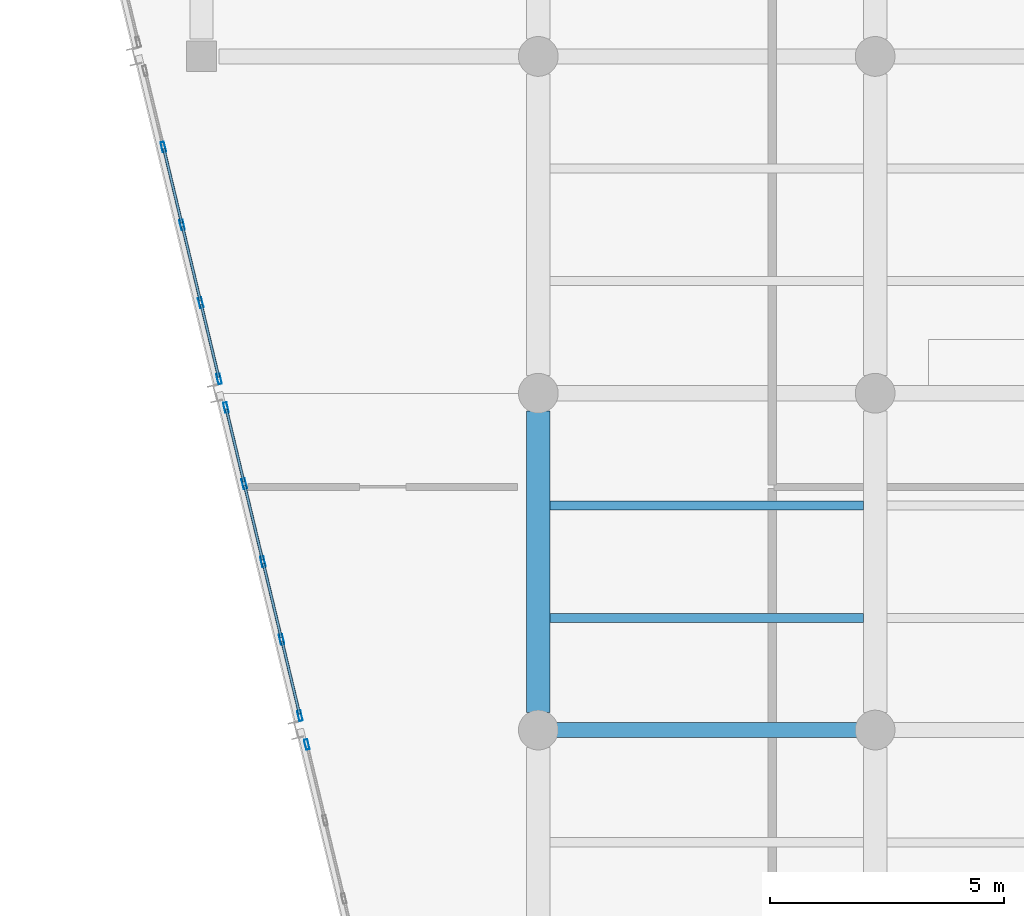
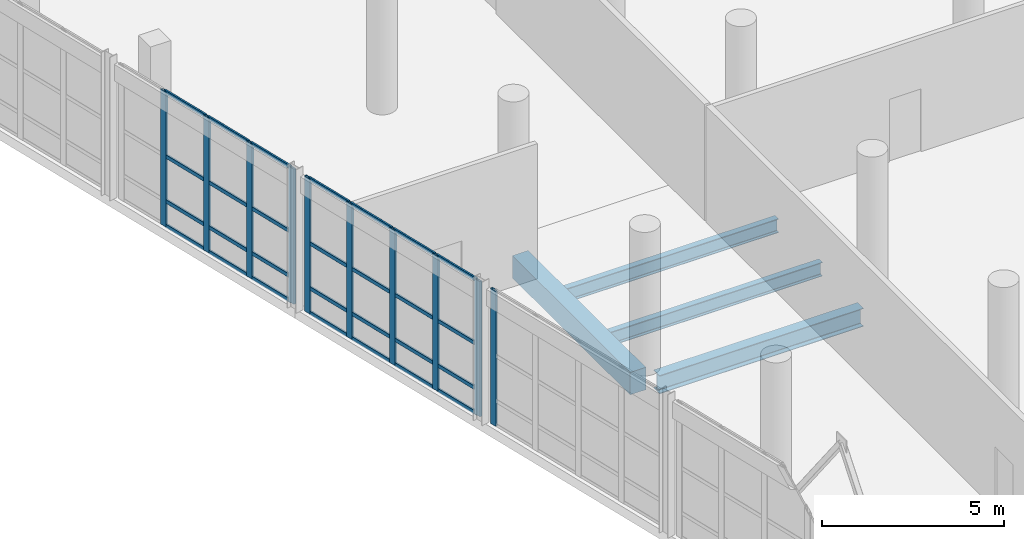
# One storey, part 67 of 127: 38 members, 4 beams, 3 elements without a shape of their own.
"""IFC4 building model written with IfcOpenShell, lengths in metres."""

from ifc_helpers import new_model, si_unit, direction, frame, origin, origin_2d, place, context, subcontext, project, spatial, rectangle, hollow_rectangle, i_section, extrude, material, material_profile, profile_set, type_object, element, aggregate, save


model = new_model("IFC4")

# Units and contexts
model_context = context("Model", 3, precision=1e-05, world=origin(), true_north=direction((0.0, 1.0)))
body_context = subcontext(model_context, "Body", "Model", "MODEL_VIEW")
ifc_project = project(units=[si_unit("LENGTHUNIT", "METRE"), si_unit("AREAUNIT", "SQUARE_METRE"), si_unit("VOLUMEUNIT", "CUBIC_METRE"), si_unit("PLANEANGLEUNIT", "RADIAN"), si_unit("MASSUNIT", "GRAM", prefix="KILO")], contexts=[model_context])

# Site, building, storey
site_placement = place(None, origin())
site = spatial("IfcSite", under=ifc_project, at=site_placement, CompositionType="ELEMENT")
building_placement = place(site_placement, origin())
building = spatial("IfcBuilding", under=site, at=building_placement, Name="Kalmorath City Hall", CompositionType="ELEMENT")
storey_placement = place(building_placement, frame((0.0, 0.0, 5.39990234375)))
storey = spatial("IfcBuildingStorey", under=building, at=storey_placement, Name="L01", CompositionType="ELEMENT", Elevation=5.39990234375)

# Beam
ifc_material_1 = material(Name="Concrete C40/50", Category="concrete")
ifc_material_profile_1 = material_profile(ifc_material_1, rectangle(XDim=0.5, YDim=0.75, at=origin_2d()), Name="RC-BM-500X750")
ifc_profile_set_1 = profile_set([ifc_material_profile_1], Name="Concrete C40/50")
beam_type_1 = type_object("IfcBeamType", Name="Concrete floor beam 500x750", PredefinedType="BEAM", material=ifc_profile_set_1)
beam_1_placement = place(storey_placement, frame((136.800048828125, 65.175048828125, -0.698974609375), z_axis=(0.0, 1.0, 0.0), x_axis=(-1.0, 0.0, 0.0)))
element("IfcBeam", 1, at=beam_1_placement, inside=storey, type_object=beam_type_1, Name="L01 girder CB3 Y20/10-11", PredefinedType="BEAM", context=body_context, shape_type="SweptSolid", body=[
    extrude(rectangle(XDim=0.5, YDim=0.75, at=origin_2d()), origin(), (0.0, 0.0, 1.0), 6.449951171875),
])

# Curtain wall, members
ifc_material_2 = material(Name="Anodised aluminium and laminated glass", Category="aluminium")
curtain_wall_type = type_object("IfcCurtainWallType", Name="Unitised hurricane curtain wall 6849x4520 M1650", PredefinedType="NOTDEFINED", material=ifc_material_2)
curtain_wall_1_placement = place(storey_placement, origin())
curtain_wall_1 = element("IfcCurtainWall", 2, at=curtain_wall_1_placement, inside=storey, type_object=curtain_wall_type, Name="L01 curtain wall CW-68X45M16 #97", PredefinedType="NOTDEFINED")
ifc_material_3 = material(Name="Anodised aluminium framing", Category="aluminium")
ifc_material_profile_2 = material_profile(ifc_material_3, hollow_rectangle(XDim=0.06005859375, YDim=0.1298828125, WallThickness=0.00341796875, InnerFilletRadius=0.00341796875, OuterFilletRadius=0.007080078125, at=origin_2d()), Name="ALU-TRN-130X60X3.5")
ifc_profile_set_2 = profile_set([ifc_material_profile_2], Name="Anodised aluminium framing")
member_type_1 = type_object("IfcMemberType", Name="Curtain-wall courtyard transom 130x60", PredefinedType="USERDEFINED", material=ifc_profile_set_2)
member_1_placement = place(storey_placement, frame((131.6962890625, 65.142822265625, 0.030029296875), z_axis=(-0.233476838675, 0.972362363423, 0.0), x_axis=(-0.972362363423, -0.233476838675, 0.0)))
member_1 = element("IfcMember", 3, at=member_1_placement, type_object=member_type_1, Name="CW-68X45M16 transom 1.1", ObjectType="TRANSOM", PredefinedType="USERDEFINED", context=body_context, shape_type="SweptSolid", body=[
    extrude(hollow_rectangle(XDim=0.06005859375, YDim=0.1298828125, WallThickness=0.00341796875, InnerFilletRadius=0.00341796875, OuterFilletRadius=0.007080078125, at=origin_2d()), origin(), (0.0, 0.0, 1.0), 1.599853515625),
])
member_2_placement = place(storey_placement, frame((131.6962890625, 65.142822265625, 0.85009765625), z_axis=(-0.233476838675, 0.972362363423, 0.0), x_axis=(-0.972362363423, -0.233476838675, 0.0)))
member_2 = element("IfcMember", 4, at=member_2_placement, type_object=member_type_1, Name="CW-68X45M16 transom 1.2", ObjectType="TRANSOM", PredefinedType="USERDEFINED", context=body_context, shape_type="SweptSolid", body=[
    extrude(hollow_rectangle(XDim=0.06005859375, YDim=0.1298828125, WallThickness=0.00341796875, InnerFilletRadius=0.00341796875, OuterFilletRadius=0.007080078125, at=origin_2d()), origin(), (0.0, 0.0, 1.0), 1.599853515625),
])
member_3_placement = place(storey_placement, frame((131.6962890625, 65.142822265625, 2.35009765625), z_axis=(-0.233476838675, 0.972362363423, 0.0), x_axis=(-0.972362363423, -0.233476838675, 0.0)))
member_3 = element("IfcMember", 5, at=member_3_placement, type_object=member_type_1, Name="CW-68X45M16 transom 1.3", ObjectType="TRANSOM", PredefinedType="USERDEFINED", context=body_context, shape_type="SweptSolid", body=[
    extrude(hollow_rectangle(XDim=0.06005859375, YDim=0.1298828125, WallThickness=0.00341796875, InnerFilletRadius=0.00341796875, OuterFilletRadius=0.007080078125, at=origin_2d()), origin(), (0.0, 0.0, 1.0), 1.599853515625),
])
member_4_placement = place(storey_placement, frame((131.6962890625, 65.142822265625, 4.489990234375), z_axis=(-0.233476838675, 0.972362363423, 0.0), x_axis=(-0.972362363423, -0.233476838675, 0.0)))
member_4 = element("IfcMember", 6, at=member_4_placement, type_object=member_type_1, Name="CW-68X45M16 transom 1.4", ObjectType="TRANSOM", PredefinedType="USERDEFINED", context=body_context, shape_type="SweptSolid", body=[
    extrude(hollow_rectangle(XDim=0.06005859375, YDim=0.1298828125, WallThickness=0.00341796875, InnerFilletRadius=0.00341796875, OuterFilletRadius=0.007080078125, at=origin_2d()), origin(), (0.0, 0.0, 1.0), 1.599853515625),
])
member_5_placement = place(storey_placement, frame((131.305419921875, 66.771484375, 0.030029296875), z_axis=(-0.233508300868, 0.972354808404, 0.0), x_axis=(-0.972354808404, -0.233508300868, 0.0)))
member_5 = element("IfcMember", 7, at=member_5_placement, type_object=member_type_1, Name="CW-68X45M16 transom 2.1", ObjectType="TRANSOM", PredefinedType="USERDEFINED", context=body_context, shape_type="SweptSolid", body=[
    extrude(hollow_rectangle(XDim=0.06005859375, YDim=0.1298828125, WallThickness=0.00341796875, InnerFilletRadius=0.00341796875, OuterFilletRadius=0.007080078125, at=origin_2d()), origin(), (0.0, 0.0, 1.0), 1.63720703125),
])
member_6_placement = place(storey_placement, frame((131.305419921875, 66.771484375, 0.85009765625), z_axis=(-0.233508300868, 0.972354808404, 0.0), x_axis=(-0.972354808404, -0.233508300868, 0.0)))
member_6 = element("IfcMember", 8, at=member_6_placement, type_object=member_type_1, Name="CW-68X45M16 transom 2.2", ObjectType="TRANSOM", PredefinedType="USERDEFINED", context=body_context, shape_type="SweptSolid", body=[
    extrude(hollow_rectangle(XDim=0.06005859375, YDim=0.1298828125, WallThickness=0.00341796875, InnerFilletRadius=0.00341796875, OuterFilletRadius=0.007080078125, at=origin_2d()), origin(), (0.0, 0.0, 1.0), 1.63720703125),
])
member_7_placement = place(storey_placement, frame((131.305419921875, 66.771484375, 2.35009765625), z_axis=(-0.233508300868, 0.972354808404, 0.0), x_axis=(-0.972354808404, -0.233508300868, 0.0)))
member_7 = element("IfcMember", 9, at=member_7_placement, type_object=member_type_1, Name="CW-68X45M16 transom 2.3", ObjectType="TRANSOM", PredefinedType="USERDEFINED", context=body_context, shape_type="SweptSolid", body=[
    extrude(hollow_rectangle(XDim=0.06005859375, YDim=0.1298828125, WallThickness=0.00341796875, InnerFilletRadius=0.00341796875, OuterFilletRadius=0.007080078125, at=origin_2d()), origin(), (0.0, 0.0, 1.0), 1.63720703125),
])
member_8_placement = place(storey_placement, frame((131.305419921875, 66.771484375, 4.489990234375), z_axis=(-0.233508300868, 0.972354808404, 0.0), x_axis=(-0.972354808404, -0.233508300868, 0.0)))
member_8 = element("IfcMember", 10, at=member_8_placement, type_object=member_type_1, Name="CW-68X45M16 transom 2.4", ObjectType="TRANSOM", PredefinedType="USERDEFINED", context=body_context, shape_type="SweptSolid", body=[
    extrude(hollow_rectangle(XDim=0.06005859375, YDim=0.1298828125, WallThickness=0.00341796875, InnerFilletRadius=0.00341796875, OuterFilletRadius=0.007080078125, at=origin_2d()), origin(), (0.0, 0.0, 1.0), 1.63720703125),
])
member_9_placement = place(storey_placement, frame((130.905517578125, 68.4365234375, 0.030029296875), z_axis=(-0.233367312665, 0.972388655518, 0.0), x_axis=(-0.972388655518, -0.233367312665, 0.0)))
member_9 = element("IfcMember", 11, at=member_9_placement, type_object=member_type_1, Name="CW-68X45M16 transom 3.1", ObjectType="TRANSOM", PredefinedType="USERDEFINED", context=body_context, shape_type="SweptSolid", body=[
    extrude(hollow_rectangle(XDim=0.06005859375, YDim=0.1298828125, WallThickness=0.00341796875, InnerFilletRadius=0.00341796875, OuterFilletRadius=0.007080078125, at=origin_2d()), origin(), (0.0, 0.0, 1.0), 1.63720703125),
])
member_10_placement = place(storey_placement, frame((130.905517578125, 68.4365234375, 0.85009765625), z_axis=(-0.233367312665, 0.972388655518, 0.0), x_axis=(-0.972388655518, -0.233367312665, 0.0)))
member_10 = element("IfcMember", 12, at=member_10_placement, type_object=member_type_1, Name="CW-68X45M16 transom 3.2", ObjectType="TRANSOM", PredefinedType="USERDEFINED", context=body_context, shape_type="SweptSolid", body=[
    extrude(hollow_rectangle(XDim=0.06005859375, YDim=0.1298828125, WallThickness=0.00341796875, InnerFilletRadius=0.00341796875, OuterFilletRadius=0.007080078125, at=origin_2d()), origin(), (0.0, 0.0, 1.0), 1.63720703125),
])
member_11_placement = place(storey_placement, frame((130.905517578125, 68.4365234375, 2.35009765625), z_axis=(-0.233367312665, 0.972388655518, 0.0), x_axis=(-0.972388655518, -0.233367312665, 0.0)))
member_11 = element("IfcMember", 13, at=member_11_placement, type_object=member_type_1, Name="CW-68X45M16 transom 3.3", ObjectType="TRANSOM", PredefinedType="USERDEFINED", context=body_context, shape_type="SweptSolid", body=[
    extrude(hollow_rectangle(XDim=0.06005859375, YDim=0.1298828125, WallThickness=0.00341796875, InnerFilletRadius=0.00341796875, OuterFilletRadius=0.007080078125, at=origin_2d()), origin(), (0.0, 0.0, 1.0), 1.63720703125),
])
member_12_placement = place(storey_placement, frame((130.905517578125, 68.4365234375, 4.489990234375), z_axis=(-0.233367312665, 0.972388655518, 0.0), x_axis=(-0.972388655518, -0.233367312665, 0.0)))
member_12 = element("IfcMember", 14, at=member_12_placement, type_object=member_type_1, Name="CW-68X45M16 transom 3.4", ObjectType="TRANSOM", PredefinedType="USERDEFINED", context=body_context, shape_type="SweptSolid", body=[
    extrude(hollow_rectangle(XDim=0.06005859375, YDim=0.1298828125, WallThickness=0.00341796875, InnerFilletRadius=0.00341796875, OuterFilletRadius=0.007080078125, at=origin_2d()), origin(), (0.0, 0.0, 1.0), 1.63720703125),
])
member_13_placement = place(storey_placement, frame((130.505859375, 70.1015625, 0.030029296875), z_axis=(-0.233511487372, 0.972354043168, 0.0), x_axis=(-0.972354043168, -0.233511487372, 0.0)))
member_13 = element("IfcMember", 15, at=member_13_placement, type_object=member_type_1, Name="CW-68X45M16 transom 4.1", ObjectType="TRANSOM", PredefinedType="USERDEFINED", context=body_context, shape_type="SweptSolid", body=[
    extrude(hollow_rectangle(XDim=0.06005859375, YDim=0.1298828125, WallThickness=0.00341796875, InnerFilletRadius=0.00341796875, OuterFilletRadius=0.007080078125, at=origin_2d()), origin(), (0.0, 0.0, 1.0), 1.599609375),
])
member_14_placement = place(storey_placement, frame((130.505859375, 70.1015625, 0.85009765625), z_axis=(-0.233511487372, 0.972354043168, 0.0), x_axis=(-0.972354043168, -0.233511487372, 0.0)))
member_14 = element("IfcMember", 16, at=member_14_placement, type_object=member_type_1, Name="CW-68X45M16 transom 4.2", ObjectType="TRANSOM", PredefinedType="USERDEFINED", context=body_context, shape_type="SweptSolid", body=[
    extrude(hollow_rectangle(XDim=0.06005859375, YDim=0.1298828125, WallThickness=0.00341796875, InnerFilletRadius=0.00341796875, OuterFilletRadius=0.007080078125, at=origin_2d()), origin(), (0.0, 0.0, 1.0), 1.599609375),
])
member_15_placement = place(storey_placement, frame((130.505859375, 70.1015625, 2.35009765625), z_axis=(-0.233511487372, 0.972354043168, 0.0), x_axis=(-0.972354043168, -0.233511487372, 0.0)))
member_15 = element("IfcMember", 17, at=member_15_placement, type_object=member_type_1, Name="CW-68X45M16 transom 4.3", ObjectType="TRANSOM", PredefinedType="USERDEFINED", context=body_context, shape_type="SweptSolid", body=[
    extrude(hollow_rectangle(XDim=0.06005859375, YDim=0.1298828125, WallThickness=0.00341796875, InnerFilletRadius=0.00341796875, OuterFilletRadius=0.007080078125, at=origin_2d()), origin(), (0.0, 0.0, 1.0), 1.599609375),
])
member_16_placement = place(storey_placement, frame((130.505859375, 70.1015625, 4.489990234375), z_axis=(-0.233511487372, 0.972354043168, 0.0), x_axis=(-0.972354043168, -0.233511487372, 0.0)))
member_16 = element("IfcMember", 18, at=member_16_placement, type_object=member_type_1, Name="CW-68X45M16 transom 4.4", ObjectType="TRANSOM", PredefinedType="USERDEFINED", context=body_context, shape_type="SweptSolid", body=[
    extrude(hollow_rectangle(XDim=0.06005859375, YDim=0.1298828125, WallThickness=0.00341796875, InnerFilletRadius=0.00341796875, OuterFilletRadius=0.007080078125, at=origin_2d()), origin(), (0.0, 0.0, 1.0), 1.599609375),
])

curtain_wall_2_placement = place(storey_placement, origin())
curtain_wall_2 = element("IfcCurtainWall", 19, at=curtain_wall_2_placement, inside=storey, type_object=curtain_wall_type, Name="L01 curtain wall CW-68X45M16 #98", PredefinedType="NOTDEFINED")
member_17_placement = place(storey_placement, frame((129.9677734375, 72.343017578125, 0.030029296875), z_axis=(-0.233511487372, 0.972354043168, 0.0), x_axis=(-0.972354043168, -0.233511487372, 0.0)))
member_17 = element("IfcMember", 20, at=member_17_placement, type_object=member_type_1, Name="CW-68X45M16 transom 1.1", ObjectType="TRANSOM", PredefinedType="USERDEFINED", context=body_context, shape_type="SweptSolid", body=[
    extrude(hollow_rectangle(XDim=0.06005859375, YDim=0.1298828125, WallThickness=0.00341796875, InnerFilletRadius=0.00341796875, OuterFilletRadius=0.007080078125, at=origin_2d()), origin(), (0.0, 0.0, 1.0), 1.599609375),
])
member_18_placement = place(storey_placement, frame((129.9677734375, 72.343017578125, 0.85009765625), z_axis=(-0.233511487372, 0.972354043168, 0.0), x_axis=(-0.972354043168, -0.233511487372, 0.0)))
member_18 = element("IfcMember", 21, at=member_18_placement, type_object=member_type_1, Name="CW-68X45M16 transom 1.2", ObjectType="TRANSOM", PredefinedType="USERDEFINED", context=body_context, shape_type="SweptSolid", body=[
    extrude(hollow_rectangle(XDim=0.06005859375, YDim=0.1298828125, WallThickness=0.00341796875, InnerFilletRadius=0.00341796875, OuterFilletRadius=0.007080078125, at=origin_2d()), origin(), (0.0, 0.0, 1.0), 1.599609375),
])
member_19_placement = place(storey_placement, frame((129.9677734375, 72.343017578125, 2.35009765625), z_axis=(-0.233511487372, 0.972354043168, 0.0), x_axis=(-0.972354043168, -0.233511487372, 0.0)))
member_19 = element("IfcMember", 22, at=member_19_placement, type_object=member_type_1, Name="CW-68X45M16 transom 1.3", ObjectType="TRANSOM", PredefinedType="USERDEFINED", context=body_context, shape_type="SweptSolid", body=[
    extrude(hollow_rectangle(XDim=0.06005859375, YDim=0.1298828125, WallThickness=0.00341796875, InnerFilletRadius=0.00341796875, OuterFilletRadius=0.007080078125, at=origin_2d()), origin(), (0.0, 0.0, 1.0), 1.599609375),
])
member_20_placement = place(storey_placement, frame((129.9677734375, 72.343017578125, 4.489990234375), z_axis=(-0.233511487372, 0.972354043168, 0.0), x_axis=(-0.972354043168, -0.233511487372, 0.0)))
member_20 = element("IfcMember", 23, at=member_20_placement, type_object=member_type_1, Name="CW-68X45M16 transom 1.4", ObjectType="TRANSOM", PredefinedType="USERDEFINED", context=body_context, shape_type="SweptSolid", body=[
    extrude(hollow_rectangle(XDim=0.06005859375, YDim=0.1298828125, WallThickness=0.00341796875, InnerFilletRadius=0.00341796875, OuterFilletRadius=0.007080078125, at=origin_2d()), origin(), (0.0, 0.0, 1.0), 1.599609375),
])
member_21_placement = place(storey_placement, frame((129.57666015625, 73.971435546875, 0.030029296875), z_axis=(-0.233508300868, 0.972354808404, 0.0), x_axis=(-0.972354808404, -0.233508300868, 0.0)))
member_21 = element("IfcMember", 24, at=member_21_placement, type_object=member_type_1, Name="CW-68X45M16 transom 2.1", ObjectType="TRANSOM", PredefinedType="USERDEFINED", context=body_context, shape_type="SweptSolid", body=[
    extrude(hollow_rectangle(XDim=0.06005859375, YDim=0.1298828125, WallThickness=0.00341796875, InnerFilletRadius=0.00341796875, OuterFilletRadius=0.007080078125, at=origin_2d()), origin(), (0.0, 0.0, 1.0), 1.63720703125),
])
member_22_placement = place(storey_placement, frame((129.57666015625, 73.971435546875, 0.85009765625), z_axis=(-0.233508300868, 0.972354808404, 0.0), x_axis=(-0.972354808404, -0.233508300868, 0.0)))
member_22 = element("IfcMember", 25, at=member_22_placement, type_object=member_type_1, Name="CW-68X45M16 transom 2.2", ObjectType="TRANSOM", PredefinedType="USERDEFINED", context=body_context, shape_type="SweptSolid", body=[
    extrude(hollow_rectangle(XDim=0.06005859375, YDim=0.1298828125, WallThickness=0.00341796875, InnerFilletRadius=0.00341796875, OuterFilletRadius=0.007080078125, at=origin_2d()), origin(), (0.0, 0.0, 1.0), 1.63720703125),
])
member_23_placement = place(storey_placement, frame((129.57666015625, 73.971435546875, 2.35009765625), z_axis=(-0.233508300868, 0.972354808404, 0.0), x_axis=(-0.972354808404, -0.233508300868, 0.0)))
member_23 = element("IfcMember", 26, at=member_23_placement, type_object=member_type_1, Name="CW-68X45M16 transom 2.3", ObjectType="TRANSOM", PredefinedType="USERDEFINED", context=body_context, shape_type="SweptSolid", body=[
    extrude(hollow_rectangle(XDim=0.06005859375, YDim=0.1298828125, WallThickness=0.00341796875, InnerFilletRadius=0.00341796875, OuterFilletRadius=0.007080078125, at=origin_2d()), origin(), (0.0, 0.0, 1.0), 1.63720703125),
])
member_24_placement = place(storey_placement, frame((129.57666015625, 73.971435546875, 4.489990234375), z_axis=(-0.233508300868, 0.972354808404, 0.0), x_axis=(-0.972354808404, -0.233508300868, 0.0)))
member_24 = element("IfcMember", 27, at=member_24_placement, type_object=member_type_1, Name="CW-68X45M16 transom 2.4", ObjectType="TRANSOM", PredefinedType="USERDEFINED", context=body_context, shape_type="SweptSolid", body=[
    extrude(hollow_rectangle(XDim=0.06005859375, YDim=0.1298828125, WallThickness=0.00341796875, InnerFilletRadius=0.00341796875, OuterFilletRadius=0.007080078125, at=origin_2d()), origin(), (0.0, 0.0, 1.0), 1.63720703125),
])
member_25_placement = place(storey_placement, frame((129.177001953125, 75.636474609375, 0.030029296875), z_axis=(-0.233508300868, 0.972354808404, 0.0), x_axis=(-0.972354808404, -0.233508300868, 0.0)))
member_25 = element("IfcMember", 28, at=member_25_placement, type_object=member_type_1, Name="CW-68X45M16 transom 3.1", ObjectType="TRANSOM", PredefinedType="USERDEFINED", context=body_context, shape_type="SweptSolid", body=[
    extrude(hollow_rectangle(XDim=0.06005859375, YDim=0.1298828125, WallThickness=0.00341796875, InnerFilletRadius=0.00341796875, OuterFilletRadius=0.007080078125, at=origin_2d()), origin(), (0.0, 0.0, 1.0), 1.63720703125),
])
member_26_placement = place(storey_placement, frame((129.177001953125, 75.636474609375, 0.85009765625), z_axis=(-0.233508300868, 0.972354808404, 0.0), x_axis=(-0.972354808404, -0.233508300868, 0.0)))
member_26 = element("IfcMember", 29, at=member_26_placement, type_object=member_type_1, Name="CW-68X45M16 transom 3.2", ObjectType="TRANSOM", PredefinedType="USERDEFINED", context=body_context, shape_type="SweptSolid", body=[
    extrude(hollow_rectangle(XDim=0.06005859375, YDim=0.1298828125, WallThickness=0.00341796875, InnerFilletRadius=0.00341796875, OuterFilletRadius=0.007080078125, at=origin_2d()), origin(), (0.0, 0.0, 1.0), 1.63720703125),
])
member_27_placement = place(storey_placement, frame((129.177001953125, 75.636474609375, 2.35009765625), z_axis=(-0.233508300868, 0.972354808404, 0.0), x_axis=(-0.972354808404, -0.233508300868, 0.0)))
member_27 = element("IfcMember", 30, at=member_27_placement, type_object=member_type_1, Name="CW-68X45M16 transom 3.3", ObjectType="TRANSOM", PredefinedType="USERDEFINED", context=body_context, shape_type="SweptSolid", body=[
    extrude(hollow_rectangle(XDim=0.06005859375, YDim=0.1298828125, WallThickness=0.00341796875, InnerFilletRadius=0.00341796875, OuterFilletRadius=0.007080078125, at=origin_2d()), origin(), (0.0, 0.0, 1.0), 1.63720703125),
])
member_28_placement = place(storey_placement, frame((129.177001953125, 75.636474609375, 4.489990234375), z_axis=(-0.233508300868, 0.972354808404, 0.0), x_axis=(-0.972354808404, -0.233508300868, 0.0)))
member_28 = element("IfcMember", 31, at=member_28_placement, type_object=member_type_1, Name="CW-68X45M16 transom 3.4", ObjectType="TRANSOM", PredefinedType="USERDEFINED", context=body_context, shape_type="SweptSolid", body=[
    extrude(hollow_rectangle(XDim=0.06005859375, YDim=0.1298828125, WallThickness=0.00341796875, InnerFilletRadius=0.00341796875, OuterFilletRadius=0.007080078125, at=origin_2d()), origin(), (0.0, 0.0, 1.0), 1.63720703125),
])

# Curtain wall, member
curtain_wall_3_placement = place(storey_placement, origin())
curtain_wall_3 = element("IfcCurtainWall", 32, at=curtain_wall_3_placement, inside=storey, type_object=curtain_wall_type, Name="L01 curtain wall CW-68X45M16 #96", PredefinedType="NOTDEFINED")
ifc_material_4 = material(Name="Anodised aluminium framing", Category="aluminium")
ifc_material_profile_3 = material_profile(ifc_material_4, hollow_rectangle(XDim=0.074951171875, YDim=0.219970703125, WallThickness=0.00390625, InnerFilletRadius=0.00390625, OuterFilletRadius=0.008056640625, at=origin_2d()), Name="ALU-MUL-220X75X4")
ifc_profile_set_3 = profile_set([ifc_material_profile_3], Name="Anodised aluminium framing")
member_type_2 = type_object("IfcMemberType", Name="Curtain-wall primary mullion 220x75", PredefinedType="MULLION", material=ifc_profile_set_3)
member_29_placement = place(storey_placement, frame((131.852294921875, 64.49365234375, 0.0), z_axis=(0.0, 0.0, 1.0), x_axis=(-0.97236741933, -0.233455781305, 0.0)))
member_29 = element("IfcMember", 33, at=member_29_placement, type_object=member_type_2, Name="CW-68X45M16 mullion 5", PredefinedType="MULLION", context=body_context, shape_type="SweptSolid", body=[
    extrude(hollow_rectangle(XDim=0.074951171875, YDim=0.219970703125, WallThickness=0.00390625, InnerFilletRadius=0.00390625, OuterFilletRadius=0.008056640625, at=origin_2d()), origin(), (0.0, 0.0, 1.0), 4.52001953125),
])
aggregate(curtain_wall_3, [member_29])

# Member
member_30_placement = place(storey_placement, frame((131.705078125, 65.1064453125, 0.0), z_axis=(0.0, 0.0, 1.0), x_axis=(-0.972370733538, -0.233441976856, 0.0)))
member_30 = element("IfcMember", 34, at=member_30_placement, type_object=member_type_2, Name="CW-68X45M16 mullion 1", PredefinedType="MULLION", context=body_context, shape_type="SweptSolid", body=[
    extrude(hollow_rectangle(XDim=0.074951171875, YDim=0.219970703125, WallThickness=0.00390625, InnerFilletRadius=0.00390625, OuterFilletRadius=0.008056640625, at=origin_2d()), origin(), (0.0, 0.0, 1.0), 4.52001953125),
])

member_31_placement = place(storey_placement, frame((131.31396484375, 66.735107421875, 0.0), z_axis=(0.0, 0.0, 1.0), x_axis=(-0.972370733538, -0.233441976856, 0.0)))
member_31 = element("IfcMember", 35, at=member_31_placement, type_object=member_type_2, Name="CW-68X45M16 mullion 2", PredefinedType="MULLION", context=body_context, shape_type="SweptSolid", body=[
    extrude(hollow_rectangle(XDim=0.074951171875, YDim=0.219970703125, WallThickness=0.00390625, InnerFilletRadius=0.00390625, OuterFilletRadius=0.008056640625, at=origin_2d()), origin(), (0.0, 0.0, 1.0), 4.52001953125),
])

member_32_placement = place(storey_placement, frame((130.914306640625, 68.39990234375, 0.0), z_axis=(0.0, 0.0, 1.0), x_axis=(-0.972370733538, -0.233441976856, 0.0)))
member_32 = element("IfcMember", 36, at=member_32_placement, type_object=member_type_2, Name="CW-68X45M16 mullion 3", PredefinedType="MULLION", context=body_context, shape_type="SweptSolid", body=[
    extrude(hollow_rectangle(XDim=0.074951171875, YDim=0.219970703125, WallThickness=0.00390625, InnerFilletRadius=0.00390625, OuterFilletRadius=0.008056640625, at=origin_2d()), origin(), (0.0, 0.0, 1.0), 4.52001953125),
])

member_33_placement = place(storey_placement, frame((130.5146484375, 70.06494140625, 0.0), z_axis=(0.0, 0.0, 1.0), x_axis=(-0.972370733538, -0.233441976856, 0.0)))
member_33 = element("IfcMember", 37, at=member_33_placement, type_object=member_type_2, Name="CW-68X45M16 mullion 4", PredefinedType="MULLION", context=body_context, shape_type="SweptSolid", body=[
    extrude(hollow_rectangle(XDim=0.074951171875, YDim=0.219970703125, WallThickness=0.00390625, InnerFilletRadius=0.00390625, OuterFilletRadius=0.008056640625, at=origin_2d()), origin(), (0.0, 0.0, 1.0), 4.52001953125),
])

member_34_placement = place(storey_placement, frame((130.12353515625, 71.693603515625, 0.0), z_axis=(0.0, 0.0, 1.0), x_axis=(-0.972370733538, -0.233441976856, 0.0)))
member_34 = element("IfcMember", 38, at=member_34_placement, type_object=member_type_2, Name="CW-68X45M16 mullion 5", PredefinedType="MULLION", context=body_context, shape_type="SweptSolid", body=[
    extrude(hollow_rectangle(XDim=0.074951171875, YDim=0.219970703125, WallThickness=0.00390625, InnerFilletRadius=0.00390625, OuterFilletRadius=0.008056640625, at=origin_2d()), origin(), (0.0, 0.0, 1.0), 4.52001953125),
])

aggregate(curtain_wall_1, [member_30, member_31, member_32, member_33, member_34, member_1, member_2, member_3, member_4, member_5, member_6, member_7, member_8, member_9, member_10, member_11, member_12, member_13, member_14, member_15, member_16])

member_35_placement = place(storey_placement, frame((129.9765625, 72.306396484375, 0.0), z_axis=(0.0, 0.0, 1.0), x_axis=(-0.97236741933, -0.233455781305, 0.0)))
member_35 = element("IfcMember", 39, at=member_35_placement, type_object=member_type_2, Name="CW-68X45M16 mullion 1", PredefinedType="MULLION", context=body_context, shape_type="SweptSolid", body=[
    extrude(hollow_rectangle(XDim=0.074951171875, YDim=0.219970703125, WallThickness=0.00390625, InnerFilletRadius=0.00390625, OuterFilletRadius=0.008056640625, at=origin_2d()), origin(), (0.0, 0.0, 1.0), 4.52001953125),
])

member_36_placement = place(storey_placement, frame((129.58544921875, 73.93505859375, 0.0), z_axis=(0.0, 0.0, 1.0), x_axis=(-0.97236741933, -0.233455781305, 0.0)))
member_36 = element("IfcMember", 40, at=member_36_placement, type_object=member_type_2, Name="CW-68X45M16 mullion 2", PredefinedType="MULLION", context=body_context, shape_type="SweptSolid", body=[
    extrude(hollow_rectangle(XDim=0.074951171875, YDim=0.219970703125, WallThickness=0.00390625, InnerFilletRadius=0.00390625, OuterFilletRadius=0.008056640625, at=origin_2d()), origin(), (0.0, 0.0, 1.0), 4.52001953125),
])

member_37_placement = place(storey_placement, frame((129.185791015625, 75.60009765625, 0.0), z_axis=(0.0, 0.0, 1.0), x_axis=(-0.97236741933, -0.233455781305, 0.0)))
member_37 = element("IfcMember", 41, at=member_37_placement, type_object=member_type_2, Name="CW-68X45M16 mullion 3", PredefinedType="MULLION", context=body_context, shape_type="SweptSolid", body=[
    extrude(hollow_rectangle(XDim=0.074951171875, YDim=0.219970703125, WallThickness=0.00390625, InnerFilletRadius=0.00390625, OuterFilletRadius=0.008056640625, at=origin_2d()), origin(), (0.0, 0.0, 1.0), 4.52001953125),
])

member_38_placement = place(storey_placement, frame((128.785888671875, 77.264892578125, 0.0), z_axis=(0.0, 0.0, 1.0), x_axis=(-0.97236741933, -0.233455781305, 0.0)))
member_38 = element("IfcMember", 42, at=member_38_placement, type_object=member_type_2, Name="CW-68X45M16 mullion 4", PredefinedType="MULLION", context=body_context, shape_type="SweptSolid", body=[
    extrude(hollow_rectangle(XDim=0.074951171875, YDim=0.219970703125, WallThickness=0.00390625, InnerFilletRadius=0.00390625, OuterFilletRadius=0.008056640625, at=origin_2d()), origin(), (0.0, 0.0, 1.0), 4.52001953125),
])

aggregate(curtain_wall_2, [member_35, member_36, member_37, member_38, member_17, member_18, member_19, member_20, member_21, member_22, member_23, member_24, member_25, member_26, member_27, member_28])

# Beams
ifc_material_5 = material(Name="Steel ASTM A992 Grade 50", Category="steel")
ifc_material_profile_4 = material_profile(ifc_material_5, i_section(OverallWidth=0.193115234375, OverallDepth=0.466064453125, WebThickness=0.011474609375, FlangeThickness=0.01904296875, FilletRadius=0.013916015625, at=origin_2d()), Name="W18X65")
ifc_profile_set_4 = profile_set([ifc_material_profile_4], Name="Steel ASTM A992 Grade 50")
beam_type_2 = type_object("IfcBeamType", Name="Steel composite joist W18X65", PredefinedType="JOIST", material=ifc_profile_set_4)
for number, where, z_axis, x_axis, name in (
    (43, (137.050048828125, 67.199951171875, -0.556884765625), (1.0, 0.0, 0.0), (0.0, 1.0, 0.0), "L01 joist SJ1 20.10.1"),
    (44, (137.050048828125, 69.60009765625, -0.556884765625), (1.0, 0.0, 0.0), (0.0, 1.0, 0.0), "L01 joist SJ1 20.10.2"),
):
    element("IfcBeam", number, at=place(storey_placement, frame(where, z_axis=z_axis, x_axis=x_axis)), inside=storey, type_object=beam_type_2, Name=name, PredefinedType="JOIST", context=body_context, shape_type="SweptSolid", body=[
        extrude(i_section(OverallWidth=0.193115234375, OverallDepth=0.466064453125, WebThickness=0.011474609375, FlangeThickness=0.01904296875, FilletRadius=0.013916015625, at=origin_2d()), origin(), (0.0, 0.0, 1.0), 6.699951171875),
    ])
ifc_material_6 = material(Name="Steel ASTM A992 Grade 50", Category="steel")
ifc_material_profile_5 = material_profile(ifc_material_6, i_section(OverallWidth=0.323974609375, OverallDepth=0.611083984375, WebThickness=0.0126953125, FlangeThickness=0.01904296875, FilletRadius=0.01611328125, at=origin_2d()), Name="W24X104")
ifc_profile_set_5 = profile_set([ifc_material_profile_5], Name="Steel ASTM A992 Grade 50")
beam_type_3 = type_object("IfcBeamType", Name="Steel floor girder W24X104", PredefinedType="BEAM", material=ifc_profile_set_5)
beam_2_placement = place(storey_placement, frame((137.175048828125, 64.800048828125, -0.62939453125), z_axis=(1.0, 0.0, 0.0), x_axis=(0.0, 1.0, 0.0)))
element("IfcBeam", 45, at=beam_2_placement, inside=storey, type_object=beam_type_3, Name="L01 girder SG7 X20-21/10", PredefinedType="BEAM", context=body_context, shape_type="SweptSolid", body=[
    extrude(i_section(OverallWidth=0.323974609375, OverallDepth=0.611083984375, WebThickness=0.0126953125, FlangeThickness=0.01904296875, FilletRadius=0.01611328125, at=origin_2d()), origin(), (0.0, 0.0, 1.0), 6.449951171875),
])

save(model, "model.ifc")
